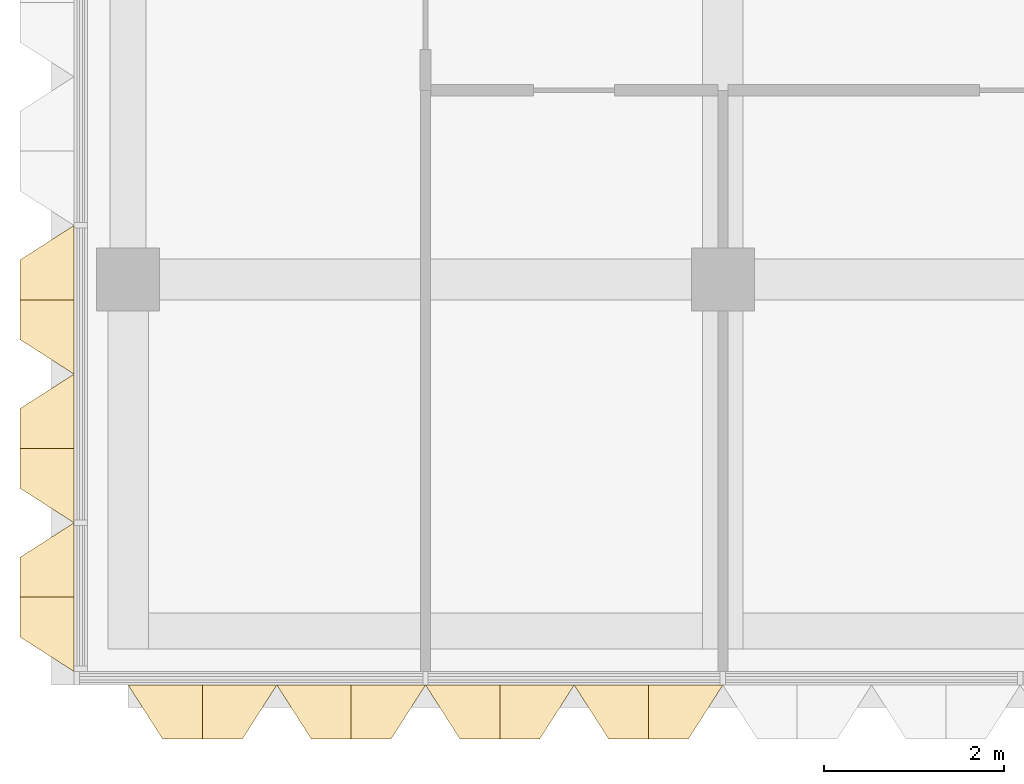
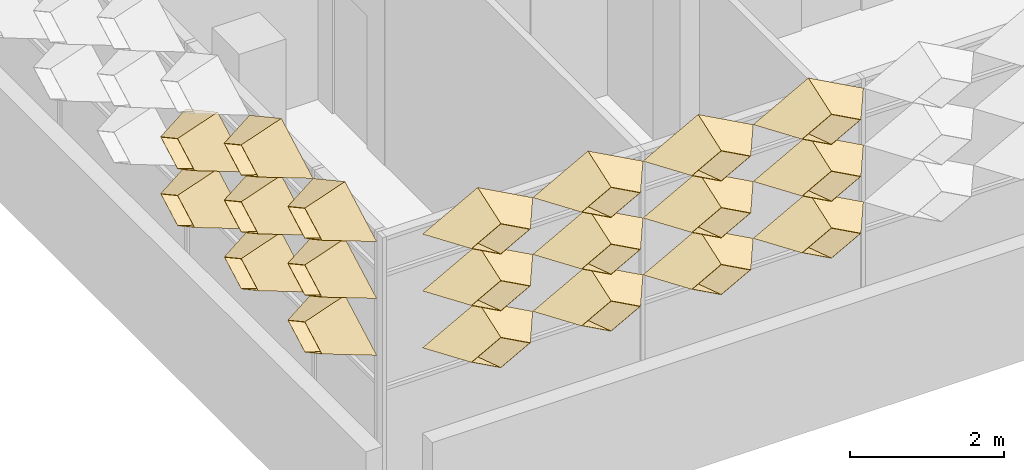
# One storey, part 37 of 85: 20 coverings.
"""IFC4 building model written with IfcOpenShell, lengths in metres."""

from ifc_helpers import new_model, entity, si_unit, direction, frame, origin, place, context, subcontext, project, spatial, material, layer, layer_set, type_object, element, save


model = new_model("IFC4")

# Units and contexts
model_context = context("Model", 3, precision=1e-05, world=origin(), true_north=direction((0.0, 1.0)))
body_context = subcontext(model_context, "Body", "Model", "MODEL_VIEW")
ifc_project = project(units=[si_unit("LENGTHUNIT", "METRE"), si_unit("AREAUNIT", "SQUARE_METRE"), si_unit("VOLUMEUNIT", "CUBIC_METRE"), si_unit("PLANEANGLEUNIT", "RADIAN"), si_unit("MASSUNIT", "GRAM", prefix="KILO")], contexts=[model_context])

# Site, building, storey
site_placement = place(None, origin())
site = spatial("IfcSite", under=ifc_project, at=site_placement, CompositionType="ELEMENT")
building_placement = place(site_placement, origin())
building = spatial("IfcBuilding", under=site, at=building_placement, Name="Lantern Court Research Institute", CompositionType="ELEMENT")
storey_placement = place(building_placement, frame((0.0, 0.0, 18.89990234375)))
storey = spatial("IfcBuildingStorey", under=building, at=storey_placement, Name="L04", CompositionType="ELEMENT", Elevation=18.89990234375)

# Coverings
ifc_material = material(Name="Anodised aluminium", Category="aluminium")
ifc_layer = layer(ifc_material, 0.01611328125)
ifc_layer_set = layer_set([ifc_layer], Name="Anodised aluminium")
covering_type = type_object("IfcCoveringType", Name="Fin cassette 1650 x 900 x 600 aluminium", PredefinedType="CLADDING", material=ifc_layer_set)
covering_1_placement = place(storey_placement, frame((0.824951171875, -8.39990234375, 2.25), z_axis=(0.0, -1.0, 0.0), x_axis=(1.0, 0.0, 0.0)))
cartesian_point_1 = entity("IfcCartesianPoint", [0.824951171875, 0.0])
cartesian_point_2 = entity("IfcCartesianPoint", [0.79150390625, 0.0])
cartesian_point_3 = entity("IfcCartesianPoint", [0.44189453125, 0.0])
cartesian_point_4 = entity("IfcCartesianPoint", [0.43359375, 0.0])
element("IfcCovering", 1, at=covering_1_placement, inside=storey, type_object=covering_type, Name="Fin cassette V4S-L04 3.1", PredefinedType="CLADDING", context=body_context, shape_type="SweptSolid", body=[
    entity("IfcExtrudedAreaSolidTapered", entity("IfcArbitraryProfileDefWithVoids", "AREA", None, entity("IfcPolyline", [cartesian_point_1, entity("IfcCartesianPoint", [0.0, 0.449951171875]), entity("IfcCartesianPoint", [-0.824951171875, 0.0]), entity("IfcCartesianPoint", [0.0, -0.449951171875]), cartesian_point_1]), [entity("IfcPolyline", [cartesian_point_2, entity("IfcCartesianPoint", [0.0, 0.431884765625]), entity("IfcCartesianPoint", [-0.79150390625, 0.0]), entity("IfcCartesianPoint", [0.0, -0.431884765625]), cartesian_point_2])]), entity("IfcAxis2Placement3D", entity("IfcCartesianPoint", [0.0, 0.0, 0.0])), entity("IfcDirection", [0.0, 0.0, 1.0]), 0.60009765625, entity("IfcArbitraryProfileDefWithVoids", "AREA", None, entity("IfcPolyline", [cartesian_point_3, entity("IfcCartesianPoint", [0.0, 0.240966796875]), entity("IfcCartesianPoint", [-0.44189453125, 0.0]), entity("IfcCartesianPoint", [0.0, -0.240966796875]), cartesian_point_3]), [entity("IfcPolyline", [cartesian_point_4, entity("IfcCartesianPoint", [0.0, 0.236572265625]), entity("IfcCartesianPoint", [-0.43359375, 0.0]), entity("IfcCartesianPoint", [0.0, -0.236572265625]), cartesian_point_4])])),
])
covering_2_placement = place(storey_placement, frame((2.47509765625, -8.39990234375, 2.25), z_axis=(0.0, -1.0, 0.0), x_axis=(1.0, 0.0, 0.0)))
cartesian_point_5 = entity("IfcCartesianPoint", [0.824951171875, 0.0])
cartesian_point_6 = entity("IfcCartesianPoint", [0.79150390625, 0.0])
cartesian_point_7 = entity("IfcCartesianPoint", [0.44189453125, 0.0])
cartesian_point_8 = entity("IfcCartesianPoint", [0.43359375, 0.0])
element("IfcCovering", 2, at=covering_2_placement, inside=storey, type_object=covering_type, Name="Fin cassette V4S-L04 3.2", PredefinedType="CLADDING", context=body_context, shape_type="SweptSolid", body=[
    entity("IfcExtrudedAreaSolidTapered", entity("IfcArbitraryProfileDefWithVoids", "AREA", None, entity("IfcPolyline", [cartesian_point_5, entity("IfcCartesianPoint", [0.0, 0.449951171875]), entity("IfcCartesianPoint", [-0.824951171875, 0.0]), entity("IfcCartesianPoint", [0.0, -0.449951171875]), cartesian_point_5]), [entity("IfcPolyline", [cartesian_point_6, entity("IfcCartesianPoint", [0.0, 0.431884765625]), entity("IfcCartesianPoint", [-0.79150390625, 0.0]), entity("IfcCartesianPoint", [0.0, -0.431884765625]), cartesian_point_6])]), entity("IfcAxis2Placement3D", entity("IfcCartesianPoint", [0.0, 0.0, 0.0])), entity("IfcDirection", [0.0, 0.0, 1.0]), 0.60009765625, entity("IfcArbitraryProfileDefWithVoids", "AREA", None, entity("IfcPolyline", [cartesian_point_7, entity("IfcCartesianPoint", [0.0, 0.240966796875]), entity("IfcCartesianPoint", [-0.44189453125, 0.0]), entity("IfcCartesianPoint", [0.0, -0.240966796875]), cartesian_point_7]), [entity("IfcPolyline", [cartesian_point_8, entity("IfcCartesianPoint", [0.0, 0.236572265625]), entity("IfcCartesianPoint", [-0.43359375, 0.0]), entity("IfcCartesianPoint", [0.0, -0.236572265625]), cartesian_point_8])])),
])
covering_3_placement = place(storey_placement, frame((4.125, -8.39990234375, 2.25), z_axis=(0.0, -1.0, 0.0), x_axis=(1.0, 0.0, 0.0)))
cartesian_point_9 = entity("IfcCartesianPoint", [0.824951171875, 0.0])
cartesian_point_10 = entity("IfcCartesianPoint", [0.79150390625, 0.0])
cartesian_point_11 = entity("IfcCartesianPoint", [0.44189453125, 0.0])
cartesian_point_12 = entity("IfcCartesianPoint", [0.43359375, 0.0])
element("IfcCovering", 3, at=covering_3_placement, inside=storey, type_object=covering_type, Name="Fin cassette V4S-L04 3.3", PredefinedType="CLADDING", context=body_context, shape_type="SweptSolid", body=[
    entity("IfcExtrudedAreaSolidTapered", entity("IfcArbitraryProfileDefWithVoids", "AREA", None, entity("IfcPolyline", [cartesian_point_9, entity("IfcCartesianPoint", [0.0, 0.449951171875]), entity("IfcCartesianPoint", [-0.824951171875, 0.0]), entity("IfcCartesianPoint", [0.0, -0.449951171875]), cartesian_point_9]), [entity("IfcPolyline", [cartesian_point_10, entity("IfcCartesianPoint", [0.0, 0.431884765625]), entity("IfcCartesianPoint", [-0.79150390625, 0.0]), entity("IfcCartesianPoint", [0.0, -0.431884765625]), cartesian_point_10])]), entity("IfcAxis2Placement3D", entity("IfcCartesianPoint", [0.0, 0.0, 0.0])), entity("IfcDirection", [0.0, 0.0, 1.0]), 0.60009765625, entity("IfcArbitraryProfileDefWithVoids", "AREA", None, entity("IfcPolyline", [cartesian_point_11, entity("IfcCartesianPoint", [0.0, 0.240966796875]), entity("IfcCartesianPoint", [-0.44189453125, 0.0]), entity("IfcCartesianPoint", [0.0, -0.240966796875]), cartesian_point_11]), [entity("IfcPolyline", [cartesian_point_12, entity("IfcCartesianPoint", [0.0, 0.236572265625]), entity("IfcCartesianPoint", [-0.43359375, 0.0]), entity("IfcCartesianPoint", [0.0, -0.236572265625]), cartesian_point_12])])),
])
covering_4_placement = place(storey_placement, frame((5.77490234375, -8.39990234375, 2.25), z_axis=(0.0, -1.0, 0.0), x_axis=(1.0, 0.0, 0.0)))
cartesian_point_13 = entity("IfcCartesianPoint", [0.824951171875, 0.0])
cartesian_point_14 = entity("IfcCartesianPoint", [0.79150390625, 0.0])
cartesian_point_15 = entity("IfcCartesianPoint", [0.44189453125, 0.0])
cartesian_point_16 = entity("IfcCartesianPoint", [0.43359375, 0.0])
element("IfcCovering", 4, at=covering_4_placement, inside=storey, type_object=covering_type, Name="Fin cassette V4S-L04 3.4", PredefinedType="CLADDING", context=body_context, shape_type="SweptSolid", body=[
    entity("IfcExtrudedAreaSolidTapered", entity("IfcArbitraryProfileDefWithVoids", "AREA", None, entity("IfcPolyline", [cartesian_point_13, entity("IfcCartesianPoint", [0.0, 0.449951171875]), entity("IfcCartesianPoint", [-0.824951171875, 0.0]), entity("IfcCartesianPoint", [0.0, -0.449951171875]), cartesian_point_13]), [entity("IfcPolyline", [cartesian_point_14, entity("IfcCartesianPoint", [0.0, 0.431884765625]), entity("IfcCartesianPoint", [-0.79150390625, 0.0]), entity("IfcCartesianPoint", [0.0, -0.431884765625]), cartesian_point_14])]), entity("IfcAxis2Placement3D", entity("IfcCartesianPoint", [0.0, 0.0, 0.0])), entity("IfcDirection", [0.0, 0.0, 1.0]), 0.60009765625, entity("IfcArbitraryProfileDefWithVoids", "AREA", None, entity("IfcPolyline", [cartesian_point_15, entity("IfcCartesianPoint", [0.0, 0.240966796875]), entity("IfcCartesianPoint", [-0.44189453125, 0.0]), entity("IfcCartesianPoint", [0.0, -0.240966796875]), cartesian_point_15]), [entity("IfcPolyline", [cartesian_point_16, entity("IfcCartesianPoint", [0.0, 0.236572265625]), entity("IfcCartesianPoint", [-0.43359375, 0.0]), entity("IfcCartesianPoint", [0.0, -0.236572265625]), cartesian_point_16])])),
])
covering_5_placement = place(storey_placement, frame((0.824951171875, -8.39990234375, 3.150146484375), z_axis=(0.0, -1.0, 0.0), x_axis=(1.0, 0.0, 0.0)))
cartesian_point_17 = entity("IfcCartesianPoint", [0.824951171875, 0.0])
cartesian_point_18 = entity("IfcCartesianPoint", [0.79150390625, 0.0])
cartesian_point_19 = entity("IfcCartesianPoint", [0.44189453125, 0.0])
cartesian_point_20 = entity("IfcCartesianPoint", [0.43359375, 0.0])
element("IfcCovering", 5, at=covering_5_placement, inside=storey, type_object=covering_type, Name="Fin cassette V4S-L04 4.1", PredefinedType="CLADDING", context=body_context, shape_type="SweptSolid", body=[
    entity("IfcExtrudedAreaSolidTapered", entity("IfcArbitraryProfileDefWithVoids", "AREA", None, entity("IfcPolyline", [cartesian_point_17, entity("IfcCartesianPoint", [0.0, 0.449951171875]), entity("IfcCartesianPoint", [-0.824951171875, 0.0]), entity("IfcCartesianPoint", [0.0, -0.449951171875]), cartesian_point_17]), [entity("IfcPolyline", [cartesian_point_18, entity("IfcCartesianPoint", [0.0, 0.431884765625]), entity("IfcCartesianPoint", [-0.79150390625, 0.0]), entity("IfcCartesianPoint", [0.0, -0.431884765625]), cartesian_point_18])]), entity("IfcAxis2Placement3D", entity("IfcCartesianPoint", [0.0, 0.0, 0.0])), entity("IfcDirection", [0.0, 0.0, 1.0]), 0.60009765625, entity("IfcArbitraryProfileDefWithVoids", "AREA", None, entity("IfcPolyline", [cartesian_point_19, entity("IfcCartesianPoint", [0.0, 0.240966796875]), entity("IfcCartesianPoint", [-0.44189453125, 0.0]), entity("IfcCartesianPoint", [0.0, -0.240966796875]), cartesian_point_19]), [entity("IfcPolyline", [cartesian_point_20, entity("IfcCartesianPoint", [0.0, 0.236572265625]), entity("IfcCartesianPoint", [-0.43359375, 0.0]), entity("IfcCartesianPoint", [0.0, -0.236572265625]), cartesian_point_20])])),
])
covering_6_placement = place(storey_placement, frame((2.47509765625, -8.39990234375, 3.150146484375), z_axis=(0.0, -1.0, 0.0), x_axis=(1.0, 0.0, 0.0)))
cartesian_point_21 = entity("IfcCartesianPoint", [0.824951171875, 0.0])
cartesian_point_22 = entity("IfcCartesianPoint", [0.79150390625, 0.0])
cartesian_point_23 = entity("IfcCartesianPoint", [0.44189453125, 0.0])
cartesian_point_24 = entity("IfcCartesianPoint", [0.43359375, 0.0])
element("IfcCovering", 6, at=covering_6_placement, inside=storey, type_object=covering_type, Name="Fin cassette V4S-L04 4.2", PredefinedType="CLADDING", context=body_context, shape_type="SweptSolid", body=[
    entity("IfcExtrudedAreaSolidTapered", entity("IfcArbitraryProfileDefWithVoids", "AREA", None, entity("IfcPolyline", [cartesian_point_21, entity("IfcCartesianPoint", [0.0, 0.449951171875]), entity("IfcCartesianPoint", [-0.824951171875, 0.0]), entity("IfcCartesianPoint", [0.0, -0.449951171875]), cartesian_point_21]), [entity("IfcPolyline", [cartesian_point_22, entity("IfcCartesianPoint", [0.0, 0.431884765625]), entity("IfcCartesianPoint", [-0.79150390625, 0.0]), entity("IfcCartesianPoint", [0.0, -0.431884765625]), cartesian_point_22])]), entity("IfcAxis2Placement3D", entity("IfcCartesianPoint", [0.0, 0.0, 0.0])), entity("IfcDirection", [0.0, 0.0, 1.0]), 0.60009765625, entity("IfcArbitraryProfileDefWithVoids", "AREA", None, entity("IfcPolyline", [cartesian_point_23, entity("IfcCartesianPoint", [0.0, 0.240966796875]), entity("IfcCartesianPoint", [-0.44189453125, 0.0]), entity("IfcCartesianPoint", [0.0, -0.240966796875]), cartesian_point_23]), [entity("IfcPolyline", [cartesian_point_24, entity("IfcCartesianPoint", [0.0, 0.236572265625]), entity("IfcCartesianPoint", [-0.43359375, 0.0]), entity("IfcCartesianPoint", [0.0, -0.236572265625]), cartesian_point_24])])),
])
covering_7_placement = place(storey_placement, frame((4.125, -8.39990234375, 3.150146484375), z_axis=(0.0, -1.0, 0.0), x_axis=(1.0, 0.0, 0.0)))
cartesian_point_25 = entity("IfcCartesianPoint", [0.824951171875, 0.0])
cartesian_point_26 = entity("IfcCartesianPoint", [0.79150390625, 0.0])
cartesian_point_27 = entity("IfcCartesianPoint", [0.44189453125, 0.0])
cartesian_point_28 = entity("IfcCartesianPoint", [0.43359375, 0.0])
element("IfcCovering", 7, at=covering_7_placement, inside=storey, type_object=covering_type, Name="Fin cassette V4S-L04 4.3", PredefinedType="CLADDING", context=body_context, shape_type="SweptSolid", body=[
    entity("IfcExtrudedAreaSolidTapered", entity("IfcArbitraryProfileDefWithVoids", "AREA", None, entity("IfcPolyline", [cartesian_point_25, entity("IfcCartesianPoint", [0.0, 0.449951171875]), entity("IfcCartesianPoint", [-0.824951171875, 0.0]), entity("IfcCartesianPoint", [0.0, -0.449951171875]), cartesian_point_25]), [entity("IfcPolyline", [cartesian_point_26, entity("IfcCartesianPoint", [0.0, 0.431884765625]), entity("IfcCartesianPoint", [-0.79150390625, 0.0]), entity("IfcCartesianPoint", [0.0, -0.431884765625]), cartesian_point_26])]), entity("IfcAxis2Placement3D", entity("IfcCartesianPoint", [0.0, 0.0, 0.0])), entity("IfcDirection", [0.0, 0.0, 1.0]), 0.60009765625, entity("IfcArbitraryProfileDefWithVoids", "AREA", None, entity("IfcPolyline", [cartesian_point_27, entity("IfcCartesianPoint", [0.0, 0.240966796875]), entity("IfcCartesianPoint", [-0.44189453125, 0.0]), entity("IfcCartesianPoint", [0.0, -0.240966796875]), cartesian_point_27]), [entity("IfcPolyline", [cartesian_point_28, entity("IfcCartesianPoint", [0.0, 0.236572265625]), entity("IfcCartesianPoint", [-0.43359375, 0.0]), entity("IfcCartesianPoint", [0.0, -0.236572265625]), cartesian_point_28])])),
])
covering_8_placement = place(storey_placement, frame((5.77490234375, -8.39990234375, 3.150146484375), z_axis=(0.0, -1.0, 0.0), x_axis=(1.0, 0.0, 0.0)))
cartesian_point_29 = entity("IfcCartesianPoint", [0.824951171875, 0.0])
cartesian_point_30 = entity("IfcCartesianPoint", [0.79150390625, 0.0])
cartesian_point_31 = entity("IfcCartesianPoint", [0.44189453125, 0.0])
cartesian_point_32 = entity("IfcCartesianPoint", [0.43359375, 0.0])
element("IfcCovering", 8, at=covering_8_placement, inside=storey, type_object=covering_type, Name="Fin cassette V4S-L04 4.4", PredefinedType="CLADDING", context=body_context, shape_type="SweptSolid", body=[
    entity("IfcExtrudedAreaSolidTapered", entity("IfcArbitraryProfileDefWithVoids", "AREA", None, entity("IfcPolyline", [cartesian_point_29, entity("IfcCartesianPoint", [0.0, 0.449951171875]), entity("IfcCartesianPoint", [-0.824951171875, 0.0]), entity("IfcCartesianPoint", [0.0, -0.449951171875]), cartesian_point_29]), [entity("IfcPolyline", [cartesian_point_30, entity("IfcCartesianPoint", [0.0, 0.431884765625]), entity("IfcCartesianPoint", [-0.79150390625, 0.0]), entity("IfcCartesianPoint", [0.0, -0.431884765625]), cartesian_point_30])]), entity("IfcAxis2Placement3D", entity("IfcCartesianPoint", [0.0, 0.0, 0.0])), entity("IfcDirection", [0.0, 0.0, 1.0]), 0.60009765625, entity("IfcArbitraryProfileDefWithVoids", "AREA", None, entity("IfcPolyline", [cartesian_point_31, entity("IfcCartesianPoint", [0.0, 0.240966796875]), entity("IfcCartesianPoint", [-0.44189453125, 0.0]), entity("IfcCartesianPoint", [0.0, -0.240966796875]), cartesian_point_31]), [entity("IfcPolyline", [cartesian_point_32, entity("IfcCartesianPoint", [0.0, 0.236572265625]), entity("IfcCartesianPoint", [-0.43359375, 0.0]), entity("IfcCartesianPoint", [0.0, -0.236572265625]), cartesian_point_32])])),
])
covering_9_placement = place(storey_placement, frame((0.824951171875, -8.39990234375, 4.050048828125), z_axis=(0.0, -1.0, 0.0), x_axis=(1.0, 0.0, 0.0)))
cartesian_point_33 = entity("IfcCartesianPoint", [0.824951171875, 0.0])
cartesian_point_34 = entity("IfcCartesianPoint", [0.79150390625, 0.0])
cartesian_point_35 = entity("IfcCartesianPoint", [0.44189453125, 0.0])
cartesian_point_36 = entity("IfcCartesianPoint", [0.43359375, 0.0])
element("IfcCovering", 9, at=covering_9_placement, inside=storey, type_object=covering_type, Name="Fin cassette V4S-L04 5.1", PredefinedType="CLADDING", context=body_context, shape_type="SweptSolid", body=[
    entity("IfcExtrudedAreaSolidTapered", entity("IfcArbitraryProfileDefWithVoids", "AREA", None, entity("IfcPolyline", [cartesian_point_33, entity("IfcCartesianPoint", [0.0, 0.449951171875]), entity("IfcCartesianPoint", [-0.824951171875, 0.0]), entity("IfcCartesianPoint", [0.0, -0.449951171875]), cartesian_point_33]), [entity("IfcPolyline", [cartesian_point_34, entity("IfcCartesianPoint", [0.0, 0.431884765625]), entity("IfcCartesianPoint", [-0.79150390625, 0.0]), entity("IfcCartesianPoint", [0.0, -0.431884765625]), cartesian_point_34])]), entity("IfcAxis2Placement3D", entity("IfcCartesianPoint", [0.0, 0.0, 0.0])), entity("IfcDirection", [0.0, 0.0, 1.0]), 0.60009765625, entity("IfcArbitraryProfileDefWithVoids", "AREA", None, entity("IfcPolyline", [cartesian_point_35, entity("IfcCartesianPoint", [0.0, 0.240966796875]), entity("IfcCartesianPoint", [-0.44189453125, 0.0]), entity("IfcCartesianPoint", [0.0, -0.240966796875]), cartesian_point_35]), [entity("IfcPolyline", [cartesian_point_36, entity("IfcCartesianPoint", [0.0, 0.236572265625]), entity("IfcCartesianPoint", [-0.43359375, 0.0]), entity("IfcCartesianPoint", [0.0, -0.236572265625]), cartesian_point_36])])),
])
covering_10_placement = place(storey_placement, frame((2.47509765625, -8.39990234375, 4.050048828125), z_axis=(0.0, -1.0, 0.0), x_axis=(1.0, 0.0, 0.0)))
cartesian_point_37 = entity("IfcCartesianPoint", [0.824951171875, 0.0])
cartesian_point_38 = entity("IfcCartesianPoint", [0.79150390625, 0.0])
cartesian_point_39 = entity("IfcCartesianPoint", [0.44189453125, 0.0])
cartesian_point_40 = entity("IfcCartesianPoint", [0.43359375, 0.0])
element("IfcCovering", 10, at=covering_10_placement, inside=storey, type_object=covering_type, Name="Fin cassette V4S-L04 5.2", PredefinedType="CLADDING", context=body_context, shape_type="SweptSolid", body=[
    entity("IfcExtrudedAreaSolidTapered", entity("IfcArbitraryProfileDefWithVoids", "AREA", None, entity("IfcPolyline", [cartesian_point_37, entity("IfcCartesianPoint", [0.0, 0.449951171875]), entity("IfcCartesianPoint", [-0.824951171875, 0.0]), entity("IfcCartesianPoint", [0.0, -0.449951171875]), cartesian_point_37]), [entity("IfcPolyline", [cartesian_point_38, entity("IfcCartesianPoint", [0.0, 0.431884765625]), entity("IfcCartesianPoint", [-0.79150390625, 0.0]), entity("IfcCartesianPoint", [0.0, -0.431884765625]), cartesian_point_38])]), entity("IfcAxis2Placement3D", entity("IfcCartesianPoint", [0.0, 0.0, 0.0])), entity("IfcDirection", [0.0, 0.0, 1.0]), 0.60009765625, entity("IfcArbitraryProfileDefWithVoids", "AREA", None, entity("IfcPolyline", [cartesian_point_39, entity("IfcCartesianPoint", [0.0, 0.240966796875]), entity("IfcCartesianPoint", [-0.44189453125, 0.0]), entity("IfcCartesianPoint", [0.0, -0.240966796875]), cartesian_point_39]), [entity("IfcPolyline", [cartesian_point_40, entity("IfcCartesianPoint", [0.0, 0.236572265625]), entity("IfcCartesianPoint", [-0.43359375, 0.0]), entity("IfcCartesianPoint", [0.0, -0.236572265625]), cartesian_point_40])])),
])
covering_11_placement = place(storey_placement, frame((4.125, -8.39990234375, 4.050048828125), z_axis=(0.0, -1.0, 0.0), x_axis=(1.0, 0.0, 0.0)))
cartesian_point_41 = entity("IfcCartesianPoint", [0.824951171875, 0.0])
cartesian_point_42 = entity("IfcCartesianPoint", [0.79150390625, 0.0])
cartesian_point_43 = entity("IfcCartesianPoint", [0.44189453125, 0.0])
cartesian_point_44 = entity("IfcCartesianPoint", [0.43359375, 0.0])
element("IfcCovering", 11, at=covering_11_placement, inside=storey, type_object=covering_type, Name="Fin cassette V4S-L04 5.3", PredefinedType="CLADDING", context=body_context, shape_type="SweptSolid", body=[
    entity("IfcExtrudedAreaSolidTapered", entity("IfcArbitraryProfileDefWithVoids", "AREA", None, entity("IfcPolyline", [cartesian_point_41, entity("IfcCartesianPoint", [0.0, 0.449951171875]), entity("IfcCartesianPoint", [-0.824951171875, 0.0]), entity("IfcCartesianPoint", [0.0, -0.449951171875]), cartesian_point_41]), [entity("IfcPolyline", [cartesian_point_42, entity("IfcCartesianPoint", [0.0, 0.431884765625]), entity("IfcCartesianPoint", [-0.79150390625, 0.0]), entity("IfcCartesianPoint", [0.0, -0.431884765625]), cartesian_point_42])]), entity("IfcAxis2Placement3D", entity("IfcCartesianPoint", [0.0, 0.0, 0.0])), entity("IfcDirection", [0.0, 0.0, 1.0]), 0.60009765625, entity("IfcArbitraryProfileDefWithVoids", "AREA", None, entity("IfcPolyline", [cartesian_point_43, entity("IfcCartesianPoint", [0.0, 0.240966796875]), entity("IfcCartesianPoint", [-0.44189453125, 0.0]), entity("IfcCartesianPoint", [0.0, -0.240966796875]), cartesian_point_43]), [entity("IfcPolyline", [cartesian_point_44, entity("IfcCartesianPoint", [0.0, 0.236572265625]), entity("IfcCartesianPoint", [-0.43359375, 0.0]), entity("IfcCartesianPoint", [0.0, -0.236572265625]), cartesian_point_44])])),
])
covering_12_placement = place(storey_placement, frame((5.77490234375, -8.39990234375, 4.050048828125), z_axis=(0.0, -1.0, 0.0), x_axis=(1.0, 0.0, 0.0)))
cartesian_point_45 = entity("IfcCartesianPoint", [0.824951171875, 0.0])
cartesian_point_46 = entity("IfcCartesianPoint", [0.79150390625, 0.0])
cartesian_point_47 = entity("IfcCartesianPoint", [0.44189453125, 0.0])
cartesian_point_48 = entity("IfcCartesianPoint", [0.43359375, 0.0])
element("IfcCovering", 12, at=covering_12_placement, inside=storey, type_object=covering_type, Name="Fin cassette V4S-L04 5.4", PredefinedType="CLADDING", context=body_context, shape_type="SweptSolid", body=[
    entity("IfcExtrudedAreaSolidTapered", entity("IfcArbitraryProfileDefWithVoids", "AREA", None, entity("IfcPolyline", [cartesian_point_45, entity("IfcCartesianPoint", [0.0, 0.449951171875]), entity("IfcCartesianPoint", [-0.824951171875, 0.0]), entity("IfcCartesianPoint", [0.0, -0.449951171875]), cartesian_point_45]), [entity("IfcPolyline", [cartesian_point_46, entity("IfcCartesianPoint", [0.0, 0.431884765625]), entity("IfcCartesianPoint", [-0.79150390625, 0.0]), entity("IfcCartesianPoint", [0.0, -0.431884765625]), cartesian_point_46])]), entity("IfcAxis2Placement3D", entity("IfcCartesianPoint", [0.0, 0.0, 0.0])), entity("IfcDirection", [0.0, 0.0, 1.0]), 0.60009765625, entity("IfcArbitraryProfileDefWithVoids", "AREA", None, entity("IfcPolyline", [cartesian_point_47, entity("IfcCartesianPoint", [0.0, 0.240966796875]), entity("IfcCartesianPoint", [-0.44189453125, 0.0]), entity("IfcCartesianPoint", [0.0, -0.240966796875]), cartesian_point_47]), [entity("IfcPolyline", [cartesian_point_48, entity("IfcCartesianPoint", [0.0, 0.236572265625]), entity("IfcCartesianPoint", [-0.43359375, 0.0]), entity("IfcCartesianPoint", [0.0, -0.236572265625]), cartesian_point_48])])),
])
covering_13_placement = place(storey_placement, frame((-0.60009765625, -7.425048828125, 2.25), z_axis=(-1.0, 0.0, 0.0), x_axis=(0.0, -1.0, 0.0)))
cartesian_point_49 = entity("IfcCartesianPoint", [0.824951171875, 0.0])
cartesian_point_50 = entity("IfcCartesianPoint", [0.79150390625, 0.0])
cartesian_point_51 = entity("IfcCartesianPoint", [0.44189453125, 0.0])
cartesian_point_52 = entity("IfcCartesianPoint", [0.43359375, 0.0])
element("IfcCovering", 13, at=covering_13_placement, inside=storey, type_object=covering_type, Name="Fin cassette V4W-L04 3.-4", PredefinedType="CLADDING", context=body_context, shape_type="SweptSolid", body=[
    entity("IfcExtrudedAreaSolidTapered", entity("IfcArbitraryProfileDefWithVoids", "AREA", None, entity("IfcPolyline", [cartesian_point_49, entity("IfcCartesianPoint", [0.0, 0.449951171875]), entity("IfcCartesianPoint", [-0.824951171875, 0.0]), entity("IfcCartesianPoint", [0.0, -0.449951171875]), cartesian_point_49]), [entity("IfcPolyline", [cartesian_point_50, entity("IfcCartesianPoint", [0.0, 0.431884765625]), entity("IfcCartesianPoint", [-0.79150390625, 0.0]), entity("IfcCartesianPoint", [0.0, -0.431884765625]), cartesian_point_50])]), entity("IfcAxis2Placement3D", entity("IfcCartesianPoint", [0.0, 0.0, 0.0])), entity("IfcDirection", [0.0, 0.0, 1.0]), 0.60009765625, entity("IfcArbitraryProfileDefWithVoids", "AREA", None, entity("IfcPolyline", [cartesian_point_51, entity("IfcCartesianPoint", [0.0, 0.240966796875]), entity("IfcCartesianPoint", [-0.44189453125, 0.0]), entity("IfcCartesianPoint", [0.0, -0.240966796875]), cartesian_point_51]), [entity("IfcPolyline", [cartesian_point_52, entity("IfcCartesianPoint", [0.0, 0.236572265625]), entity("IfcCartesianPoint", [-0.43359375, 0.0]), entity("IfcCartesianPoint", [0.0, -0.236572265625]), cartesian_point_52])])),
])
covering_14_placement = place(storey_placement, frame((-0.60009765625, -5.77490234375, 2.25), z_axis=(-1.0, 0.0, 0.0), x_axis=(0.0, -1.0, 0.0)))
cartesian_point_53 = entity("IfcCartesianPoint", [0.824951171875, 0.0])
cartesian_point_54 = entity("IfcCartesianPoint", [0.79150390625, 0.0])
cartesian_point_55 = entity("IfcCartesianPoint", [0.44189453125, 0.0])
cartesian_point_56 = entity("IfcCartesianPoint", [0.43359375, 0.0])
element("IfcCovering", 14, at=covering_14_placement, inside=storey, type_object=covering_type, Name="Fin cassette V4W-L04 3.-3", PredefinedType="CLADDING", context=body_context, shape_type="SweptSolid", body=[
    entity("IfcExtrudedAreaSolidTapered", entity("IfcArbitraryProfileDefWithVoids", "AREA", None, entity("IfcPolyline", [cartesian_point_53, entity("IfcCartesianPoint", [0.0, 0.449951171875]), entity("IfcCartesianPoint", [-0.824951171875, 0.0]), entity("IfcCartesianPoint", [0.0, -0.449951171875]), cartesian_point_53]), [entity("IfcPolyline", [cartesian_point_54, entity("IfcCartesianPoint", [0.0, 0.431884765625]), entity("IfcCartesianPoint", [-0.79150390625, 0.0]), entity("IfcCartesianPoint", [0.0, -0.431884765625]), cartesian_point_54])]), entity("IfcAxis2Placement3D", entity("IfcCartesianPoint", [0.0, 0.0, 0.0])), entity("IfcDirection", [0.0, 0.0, 1.0]), 0.60009765625, entity("IfcArbitraryProfileDefWithVoids", "AREA", None, entity("IfcPolyline", [cartesian_point_55, entity("IfcCartesianPoint", [0.0, 0.240966796875]), entity("IfcCartesianPoint", [-0.44189453125, 0.0]), entity("IfcCartesianPoint", [0.0, -0.240966796875]), cartesian_point_55]), [entity("IfcPolyline", [cartesian_point_56, entity("IfcCartesianPoint", [0.0, 0.236572265625]), entity("IfcCartesianPoint", [-0.43359375, 0.0]), entity("IfcCartesianPoint", [0.0, -0.236572265625]), cartesian_point_56])])),
])
covering_15_placement = place(storey_placement, frame((-0.60009765625, -4.125, 2.25), z_axis=(-1.0, 0.0, 0.0), x_axis=(0.0, -1.0, 0.0)))
cartesian_point_57 = entity("IfcCartesianPoint", [0.824951171875, 0.0])
cartesian_point_58 = entity("IfcCartesianPoint", [0.79150390625, 0.0])
cartesian_point_59 = entity("IfcCartesianPoint", [0.44189453125, 0.0])
cartesian_point_60 = entity("IfcCartesianPoint", [0.43359375, 0.0])
element("IfcCovering", 15, at=covering_15_placement, inside=storey, type_object=covering_type, Name="Fin cassette V4W-L04 3.-2", PredefinedType="CLADDING", context=body_context, shape_type="SweptSolid", body=[
    entity("IfcExtrudedAreaSolidTapered", entity("IfcArbitraryProfileDefWithVoids", "AREA", None, entity("IfcPolyline", [cartesian_point_57, entity("IfcCartesianPoint", [0.0, 0.449951171875]), entity("IfcCartesianPoint", [-0.824951171875, 0.0]), entity("IfcCartesianPoint", [0.0, -0.449951171875]), cartesian_point_57]), [entity("IfcPolyline", [cartesian_point_58, entity("IfcCartesianPoint", [0.0, 0.431884765625]), entity("IfcCartesianPoint", [-0.79150390625, 0.0]), entity("IfcCartesianPoint", [0.0, -0.431884765625]), cartesian_point_58])]), entity("IfcAxis2Placement3D", entity("IfcCartesianPoint", [0.0, 0.0, 0.0])), entity("IfcDirection", [0.0, 0.0, 1.0]), 0.60009765625, entity("IfcArbitraryProfileDefWithVoids", "AREA", None, entity("IfcPolyline", [cartesian_point_59, entity("IfcCartesianPoint", [0.0, 0.240966796875]), entity("IfcCartesianPoint", [-0.44189453125, 0.0]), entity("IfcCartesianPoint", [0.0, -0.240966796875]), cartesian_point_59]), [entity("IfcPolyline", [cartesian_point_60, entity("IfcCartesianPoint", [0.0, 0.236572265625]), entity("IfcCartesianPoint", [-0.43359375, 0.0]), entity("IfcCartesianPoint", [0.0, -0.236572265625]), cartesian_point_60])])),
])
covering_16_placement = place(storey_placement, frame((-0.60009765625, -7.425048828125, 3.150146484375), z_axis=(-1.0, 0.0, 0.0), x_axis=(0.0, -1.0, 0.0)))
cartesian_point_61 = entity("IfcCartesianPoint", [0.824951171875, 0.0])
cartesian_point_62 = entity("IfcCartesianPoint", [0.79150390625, 0.0])
cartesian_point_63 = entity("IfcCartesianPoint", [0.44189453125, 0.0])
cartesian_point_64 = entity("IfcCartesianPoint", [0.43359375, 0.0])
element("IfcCovering", 16, at=covering_16_placement, inside=storey, type_object=covering_type, Name="Fin cassette V4W-L04 4.-4", PredefinedType="CLADDING", context=body_context, shape_type="SweptSolid", body=[
    entity("IfcExtrudedAreaSolidTapered", entity("IfcArbitraryProfileDefWithVoids", "AREA", None, entity("IfcPolyline", [cartesian_point_61, entity("IfcCartesianPoint", [0.0, 0.449951171875]), entity("IfcCartesianPoint", [-0.824951171875, 0.0]), entity("IfcCartesianPoint", [0.0, -0.449951171875]), cartesian_point_61]), [entity("IfcPolyline", [cartesian_point_62, entity("IfcCartesianPoint", [0.0, 0.431884765625]), entity("IfcCartesianPoint", [-0.79150390625, 0.0]), entity("IfcCartesianPoint", [0.0, -0.431884765625]), cartesian_point_62])]), entity("IfcAxis2Placement3D", entity("IfcCartesianPoint", [0.0, 0.0, 0.0])), entity("IfcDirection", [0.0, 0.0, 1.0]), 0.60009765625, entity("IfcArbitraryProfileDefWithVoids", "AREA", None, entity("IfcPolyline", [cartesian_point_63, entity("IfcCartesianPoint", [0.0, 0.240966796875]), entity("IfcCartesianPoint", [-0.44189453125, 0.0]), entity("IfcCartesianPoint", [0.0, -0.240966796875]), cartesian_point_63]), [entity("IfcPolyline", [cartesian_point_64, entity("IfcCartesianPoint", [0.0, 0.236572265625]), entity("IfcCartesianPoint", [-0.43359375, 0.0]), entity("IfcCartesianPoint", [0.0, -0.236572265625]), cartesian_point_64])])),
])
covering_17_placement = place(storey_placement, frame((-0.60009765625, -5.77490234375, 3.150146484375), z_axis=(-1.0, 0.0, 0.0), x_axis=(0.0, -1.0, 0.0)))
cartesian_point_65 = entity("IfcCartesianPoint", [0.824951171875, 0.0])
cartesian_point_66 = entity("IfcCartesianPoint", [0.79150390625, 0.0])
cartesian_point_67 = entity("IfcCartesianPoint", [0.44189453125, 0.0])
cartesian_point_68 = entity("IfcCartesianPoint", [0.43359375, 0.0])
element("IfcCovering", 17, at=covering_17_placement, inside=storey, type_object=covering_type, Name="Fin cassette V4W-L04 4.-3", PredefinedType="CLADDING", context=body_context, shape_type="SweptSolid", body=[
    entity("IfcExtrudedAreaSolidTapered", entity("IfcArbitraryProfileDefWithVoids", "AREA", None, entity("IfcPolyline", [cartesian_point_65, entity("IfcCartesianPoint", [0.0, 0.449951171875]), entity("IfcCartesianPoint", [-0.824951171875, 0.0]), entity("IfcCartesianPoint", [0.0, -0.449951171875]), cartesian_point_65]), [entity("IfcPolyline", [cartesian_point_66, entity("IfcCartesianPoint", [0.0, 0.431884765625]), entity("IfcCartesianPoint", [-0.79150390625, 0.0]), entity("IfcCartesianPoint", [0.0, -0.431884765625]), cartesian_point_66])]), entity("IfcAxis2Placement3D", entity("IfcCartesianPoint", [0.0, 0.0, 0.0])), entity("IfcDirection", [0.0, 0.0, 1.0]), 0.60009765625, entity("IfcArbitraryProfileDefWithVoids", "AREA", None, entity("IfcPolyline", [cartesian_point_67, entity("IfcCartesianPoint", [0.0, 0.240966796875]), entity("IfcCartesianPoint", [-0.44189453125, 0.0]), entity("IfcCartesianPoint", [0.0, -0.240966796875]), cartesian_point_67]), [entity("IfcPolyline", [cartesian_point_68, entity("IfcCartesianPoint", [0.0, 0.236572265625]), entity("IfcCartesianPoint", [-0.43359375, 0.0]), entity("IfcCartesianPoint", [0.0, -0.236572265625]), cartesian_point_68])])),
])
covering_18_placement = place(storey_placement, frame((-0.60009765625, -4.125, 3.150146484375), z_axis=(-1.0, 0.0, 0.0), x_axis=(0.0, -1.0, 0.0)))
cartesian_point_69 = entity("IfcCartesianPoint", [0.824951171875, 0.0])
cartesian_point_70 = entity("IfcCartesianPoint", [0.79150390625, 0.0])
cartesian_point_71 = entity("IfcCartesianPoint", [0.44189453125, 0.0])
cartesian_point_72 = entity("IfcCartesianPoint", [0.43359375, 0.0])
element("IfcCovering", 18, at=covering_18_placement, inside=storey, type_object=covering_type, Name="Fin cassette V4W-L04 4.-2", PredefinedType="CLADDING", context=body_context, shape_type="SweptSolid", body=[
    entity("IfcExtrudedAreaSolidTapered", entity("IfcArbitraryProfileDefWithVoids", "AREA", None, entity("IfcPolyline", [cartesian_point_69, entity("IfcCartesianPoint", [0.0, 0.449951171875]), entity("IfcCartesianPoint", [-0.824951171875, 0.0]), entity("IfcCartesianPoint", [0.0, -0.449951171875]), cartesian_point_69]), [entity("IfcPolyline", [cartesian_point_70, entity("IfcCartesianPoint", [0.0, 0.431884765625]), entity("IfcCartesianPoint", [-0.79150390625, 0.0]), entity("IfcCartesianPoint", [0.0, -0.431884765625]), cartesian_point_70])]), entity("IfcAxis2Placement3D", entity("IfcCartesianPoint", [0.0, 0.0, 0.0])), entity("IfcDirection", [0.0, 0.0, 1.0]), 0.60009765625, entity("IfcArbitraryProfileDefWithVoids", "AREA", None, entity("IfcPolyline", [cartesian_point_71, entity("IfcCartesianPoint", [0.0, 0.240966796875]), entity("IfcCartesianPoint", [-0.44189453125, 0.0]), entity("IfcCartesianPoint", [0.0, -0.240966796875]), cartesian_point_71]), [entity("IfcPolyline", [cartesian_point_72, entity("IfcCartesianPoint", [0.0, 0.236572265625]), entity("IfcCartesianPoint", [-0.43359375, 0.0]), entity("IfcCartesianPoint", [0.0, -0.236572265625]), cartesian_point_72])])),
])
covering_19_placement = place(storey_placement, frame((-0.60009765625, -7.425048828125, 4.050048828125), z_axis=(-1.0, 0.0, 0.0), x_axis=(0.0, -1.0, 0.0)))
cartesian_point_73 = entity("IfcCartesianPoint", [0.824951171875, 0.0])
cartesian_point_74 = entity("IfcCartesianPoint", [0.79150390625, 0.0])
cartesian_point_75 = entity("IfcCartesianPoint", [0.44189453125, 0.0])
cartesian_point_76 = entity("IfcCartesianPoint", [0.43359375, 0.0])
element("IfcCovering", 19, at=covering_19_placement, inside=storey, type_object=covering_type, Name="Fin cassette V4W-L04 5.-4", PredefinedType="CLADDING", context=body_context, shape_type="SweptSolid", body=[
    entity("IfcExtrudedAreaSolidTapered", entity("IfcArbitraryProfileDefWithVoids", "AREA", None, entity("IfcPolyline", [cartesian_point_73, entity("IfcCartesianPoint", [0.0, 0.449951171875]), entity("IfcCartesianPoint", [-0.824951171875, 0.0]), entity("IfcCartesianPoint", [0.0, -0.449951171875]), cartesian_point_73]), [entity("IfcPolyline", [cartesian_point_74, entity("IfcCartesianPoint", [0.0, 0.431884765625]), entity("IfcCartesianPoint", [-0.79150390625, 0.0]), entity("IfcCartesianPoint", [0.0, -0.431884765625]), cartesian_point_74])]), entity("IfcAxis2Placement3D", entity("IfcCartesianPoint", [0.0, 0.0, 0.0])), entity("IfcDirection", [0.0, 0.0, 1.0]), 0.60009765625, entity("IfcArbitraryProfileDefWithVoids", "AREA", None, entity("IfcPolyline", [cartesian_point_75, entity("IfcCartesianPoint", [0.0, 0.240966796875]), entity("IfcCartesianPoint", [-0.44189453125, 0.0]), entity("IfcCartesianPoint", [0.0, -0.240966796875]), cartesian_point_75]), [entity("IfcPolyline", [cartesian_point_76, entity("IfcCartesianPoint", [0.0, 0.236572265625]), entity("IfcCartesianPoint", [-0.43359375, 0.0]), entity("IfcCartesianPoint", [0.0, -0.236572265625]), cartesian_point_76])])),
])
covering_20_placement = place(storey_placement, frame((-0.60009765625, -5.77490234375, 4.050048828125), z_axis=(-1.0, 0.0, 0.0), x_axis=(0.0, -1.0, 0.0)))
cartesian_point_77 = entity("IfcCartesianPoint", [0.824951171875, 0.0])
cartesian_point_78 = entity("IfcCartesianPoint", [0.79150390625, 0.0])
cartesian_point_79 = entity("IfcCartesianPoint", [0.44189453125, 0.0])
cartesian_point_80 = entity("IfcCartesianPoint", [0.43359375, 0.0])
element("IfcCovering", 20, at=covering_20_placement, inside=storey, type_object=covering_type, Name="Fin cassette V4W-L04 5.-3", PredefinedType="CLADDING", context=body_context, shape_type="SweptSolid", body=[
    entity("IfcExtrudedAreaSolidTapered", entity("IfcArbitraryProfileDefWithVoids", "AREA", None, entity("IfcPolyline", [cartesian_point_77, entity("IfcCartesianPoint", [0.0, 0.449951171875]), entity("IfcCartesianPoint", [-0.824951171875, 0.0]), entity("IfcCartesianPoint", [0.0, -0.449951171875]), cartesian_point_77]), [entity("IfcPolyline", [cartesian_point_78, entity("IfcCartesianPoint", [0.0, 0.431884765625]), entity("IfcCartesianPoint", [-0.79150390625, 0.0]), entity("IfcCartesianPoint", [0.0, -0.431884765625]), cartesian_point_78])]), entity("IfcAxis2Placement3D", entity("IfcCartesianPoint", [0.0, 0.0, 0.0])), entity("IfcDirection", [0.0, 0.0, 1.0]), 0.60009765625, entity("IfcArbitraryProfileDefWithVoids", "AREA", None, entity("IfcPolyline", [cartesian_point_79, entity("IfcCartesianPoint", [0.0, 0.240966796875]), entity("IfcCartesianPoint", [-0.44189453125, 0.0]), entity("IfcCartesianPoint", [0.0, -0.240966796875]), cartesian_point_79]), [entity("IfcPolyline", [cartesian_point_80, entity("IfcCartesianPoint", [0.0, 0.236572265625]), entity("IfcCartesianPoint", [-0.43359375, 0.0]), entity("IfcCartesianPoint", [0.0, -0.236572265625]), cartesian_point_80])])),
])

save(model, "model.ifc")
